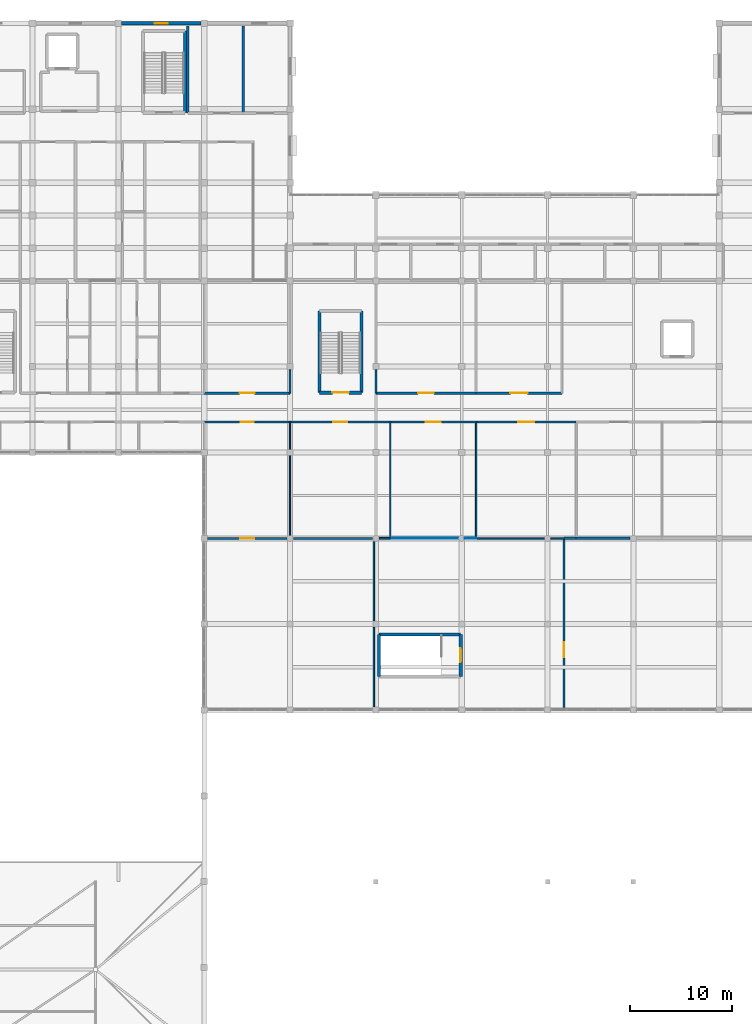
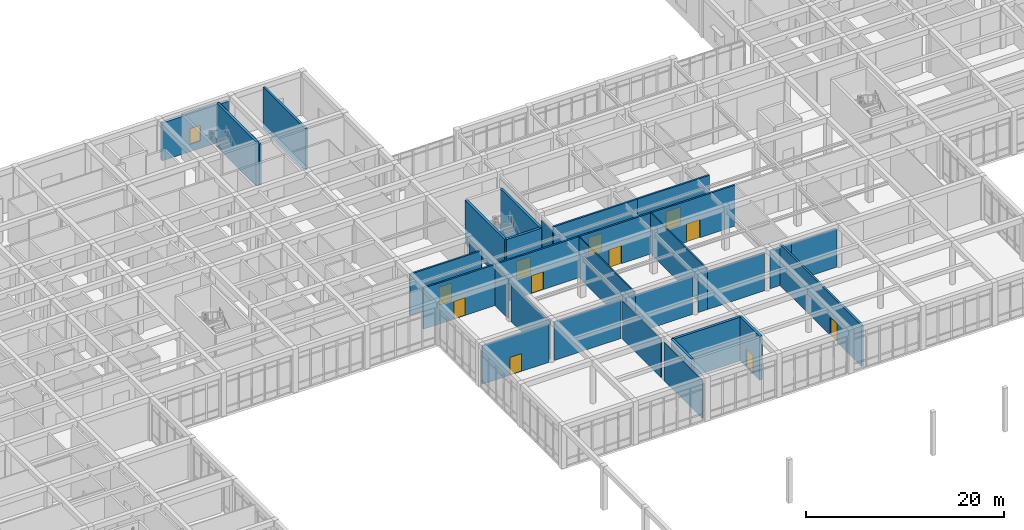
# One storey, part 60 of 89: 35 walls, 11 doors, 1 window, 12 openings.
"""IFC4 building model written with IfcOpenShell, lengths in metres."""

import ifcopenshell
import ifcopenshell.guid

model = None  # the IFC model being written
_history = None  # IfcOwnerHistory: only IFC2X3 demands one
_inside = {}  # id of a spatial element -> (the spatial element, [elements in it])
_under = {}  # id of a project, library or spatial element -> (it, [spatial elements below it])
_declared = {}  # id of a project -> (the project, [libraries it declares])
_typed = {}  # id of a type object -> (the type object, [elements of that type])
_made_of = {}  # id of a material, layer set ... -> (it, [elements and type objects made of it])


def new_model(schema):
    """Start an empty IFC model of exactly this schema.

    Asked for "IFC4X3", IfcOpenShell would pick the latest addendum, in which some entities
    have other attributes; the version numbers below select the first issue.
    IFC2X3 requires an IfcOwnerHistory on every rooted entity: one is made here for all.
    """
    global model, _history
    if schema == "IFC4X3":
        model = ifcopenshell.file(schema_version=(4, 3, 0, 0))
    else:
        model = ifcopenshell.file(schema=schema)
    _inside.clear()
    _under.clear()
    _declared.clear()
    _typed.clear()
    _made_of.clear()
    _history = None
    if model.schema == "IFC2X3":
        org = make("IfcOrganization", Name="unknown")
        user = make(
            "IfcPersonAndOrganization",
            ThePerson=make("IfcPerson", FamilyName="unknown"),
            TheOrganization=org,
        )
        app = make(
            "IfcApplication",
            ApplicationDeveloper=org,
            Version="unknown",
            ApplicationFullName="unknown",
            ApplicationIdentifier="unknown",
        )
        _history = make(
            "IfcOwnerHistory",
            OwningUser=user,
            OwningApplication=app,
            ChangeAction="ADDED",
            CreationDate=0,
        )
    return model


def make(cls, **values):
    """One entity of the class cls with the attributes given. An attribute that is None is left unset."""
    return model.create_entity(
        cls, **{name: value for name, value in values.items() if value is not None}
    )


def rooted(cls, **values):
    """An entity with a GlobalId (a new one), such as an element, a storey or a relation."""
    return make(cls, GlobalId=ifcopenshell.guid.new(), OwnerHistory=_history, **values)


def si_unit(unit_type, name, prefix=None):
    """IfcSIUnit, for example si_unit("LENGTHUNIT", "METRE", prefix="MILLI")."""
    return make("IfcSIUnit", UnitType=unit_type, Prefix=prefix, Name=name)


def assignment(units):
    """IfcUnitAssignment: the units of a project."""
    return None if units is None else make("IfcUnitAssignment", Units=units)


def point(xyz):
    """IfcCartesianPoint."""
    return None if xyz is None else make("IfcCartesianPoint", Coordinates=xyz)


def direction(xyz):
    """IfcDirection."""
    return None if xyz is None else make("IfcDirection", DirectionRatios=xyz)


def frame(location, z_axis=None, x_axis=None):
    """IfcAxis2Placement3D, a coordinate frame: its origin and axes. An axis left out is left unset."""
    return make(
        "IfcAxis2Placement3D",
        Location=point(location),
        Axis=direction(z_axis),
        RefDirection=direction(x_axis),
    )


def frame_2d(location, x_axis=None):
    """IfcAxis2Placement2D, a coordinate frame in the plane: its origin and x axis."""
    return make(
        "IfcAxis2Placement2D", Location=point(location), RefDirection=direction(x_axis)
    )


def origin():
    """The frame at (0, 0, 0) with its axes left unset."""
    return frame((0.0, 0.0, 0.0))


def place(relative_to, where):
    """IfcLocalPlacement: puts the frame where relative to a parent placement (None: the world)."""
    return make(
        "IfcLocalPlacement", PlacementRelTo=relative_to, RelativePlacement=where
    )


def context(
    kind, dimensions, precision=None, world=None, true_north=None, identifier=None
):
    """IfcGeometricRepresentationContext, for example the 3D "Model" context."""
    return make(
        "IfcGeometricRepresentationContext",
        ContextIdentifier=identifier,
        ContextType=kind,
        CoordinateSpaceDimension=dimensions,
        Precision=precision,
        WorldCoordinateSystem=world,
        TrueNorth=true_north,
    )


def subcontext(parent, identifier, kind, view, scale=None):
    """IfcGeometricRepresentationSubContext, for example "Body" below "Model"."""
    return make(
        "IfcGeometricRepresentationSubContext",
        ContextIdentifier=identifier,
        ContextType=kind,
        ParentContext=parent,
        TargetScale=scale,
        TargetView=view,
    )


def project(units=None, contexts=None):
    """IfcProject with its units and contexts."""
    return rooted(
        "IfcProject",
        Name="project",
        RepresentationContexts=contexts,
        UnitsInContext=assignment(units),
    )


def spatial(cls, under=None, at=None, **own):
    """A site, building, storey or space (cls), placed at a placement, below another one or the project."""
    s = rooted(cls, ObjectPlacement=at, **own)
    if under is not None:
        _under.setdefault(under.id(), (under, []))[1].append(s)
    return s


def profile(cls, at=None, kind="AREA", **sizes):
    """A parametric profile (cls). Its sizes go by their IFC names, for example OverallWidth=200.0."""
    return make(cls, ProfileType=kind, Position=at, **sizes)


def rectangle(**sizes):
    """IfcRectangleProfileDef."""
    return profile("IfcRectangleProfileDef", **sizes)


def extrude(swept, where, along, depth):
    """IfcExtrudedAreaSolid: the profile swept, set in the frame where, extruded along a direction by depth."""
    return make(
        "IfcExtrudedAreaSolid",
        SweptArea=swept,
        Position=where,
        ExtrudedDirection=direction(along),
        Depth=depth,
    )


def shape(context_of_items, identifier, shape_type, items):
    """IfcShapeRepresentation: the items that make up one representation, for example the "Body"."""
    return make(
        "IfcShapeRepresentation",
        ContextOfItems=context_of_items,
        RepresentationIdentifier=identifier,
        RepresentationType=shape_type,
        Items=items,
    )


def material(Name=None, Category=None):
    """IfcMaterial."""
    return make("IfcMaterial", Name=Name, Category=Category)


def layer(
    of_material, thickness, ventilated=None, Name=None, Category=None, Priority=None
):
    """IfcMaterialLayer: one layer of a wall or slab, of a material (None: an air gap)."""
    return make(
        "IfcMaterialLayer",
        Material=of_material,
        LayerThickness=thickness,
        IsVentilated=ventilated,
        Name=Name,
        Category=Category,
        Priority=Priority,
    )


def layer_set(layers, Name=None):
    """IfcMaterialLayerSet."""
    return make("IfcMaterialLayerSet", MaterialLayers=layers, LayerSetName=Name)


def made_of(thing, what):
    """Note that an element or type object is made of a material, layer set ...; save() writes the relation."""
    if what is not None:
        _made_of.setdefault(what.id(), (what, []))[1].append(thing)
    return thing


def type_object(cls, material=None, **own):
    """A type object (cls), such as IfcWallType, which elements share."""
    return made_of(rooted(cls, **own), material)


def element(
    cls,
    number,
    at=None,
    inside=None,
    cuts=None,
    type_object=None,
    material=None,
    context=None,
    identifier="Body",
    shape_type=None,
    held_by="IfcProductDefinitionShape",
    body=None,
    shapes=None,
    **own,
):
    """One element of the class cls, such as IfcWall. Its Tag is "e" and its number.

    at: its placement. inside: the storey or other place that contains it. cuts: it is an
    opening in that element (IfcRelVoidsElement). A single representation is given by context,
    identifier, shape_type and body (its items); several are given by shapes. held_by: the class
    of the entity that holds the representations. save() writes the other relations.
    """
    e = rooted(cls, Tag="e%d" % number, ObjectPlacement=at, **own)
    if body is not None:
        shapes = [shape(context, identifier, shape_type, body)]
    if shapes is not None:
        e.Representation = make(held_by, Representations=shapes)
    if inside is not None:
        _inside.setdefault(inside.id(), (inside, []))[1].append(e)
    if cuts is not None:
        rooted(
            "IfcRelVoidsElement", RelatingBuildingElement=cuts, RelatedOpeningElement=e
        )
    if type_object is not None:
        _typed.setdefault(type_object.id(), (type_object, []))[1].append(e)
    return made_of(e, material)


def fill(opening, filler):
    """IfcRelFillsElement: the door or window that sits in an opening."""
    return rooted(
        "IfcRelFillsElement",
        RelatingOpeningElement=opening,
        RelatedBuildingElement=filler,
    )


def aggregate(whole, parts):
    """IfcRelAggregates: a whole, such as a stair, and the parts it consists of."""
    return rooted("IfcRelAggregates", RelatingObject=whole, RelatedObjects=parts)


def save(model, path):
    """Write the relations noted so far, then the file.

    IfcRelAggregates (storeys below a building ...), IfcRelContainedInSpatialStructure (elements
    in a storey), IfcRelDefinesByType, IfcRelAssociatesMaterial and IfcRelDeclares: one each for
    every whole, place, type object, material and project.
    """
    for whole, parts in _under.values():
        aggregate(whole, parts)
    for where, things in _inside.values():
        rooted(
            "IfcRelContainedInSpatialStructure",
            RelatedElements=things,
            RelatingStructure=where,
        )
    for kind, things in _typed.values():
        rooted("IfcRelDefinesByType", RelatedObjects=things, RelatingType=kind)
    for what, things in _made_of.values():
        rooted("IfcRelAssociatesMaterial", RelatedObjects=things, RelatingMaterial=what)
    for by, libraries in _declared.values():
        rooted("IfcRelDeclares", RelatingContext=by, RelatedDefinitions=libraries)
    model.write(path)


model = new_model("IFC4")

# Units and contexts
model_context = context("Model", 3, precision=1e-05, world=origin(), true_north=direction((0.0, 1.0)))
body_context = subcontext(model_context, "Body", "Model", "MODEL_VIEW")
ifc_project = project(units=[si_unit("LENGTHUNIT", "METRE"), si_unit("AREAUNIT", "SQUARE_METRE"), si_unit("VOLUMEUNIT", "CUBIC_METRE"), si_unit("PLANEANGLEUNIT", "RADIAN"), si_unit("MASSUNIT", "GRAM", prefix="KILO")], contexts=[model_context])

# Site, building, storey
site_placement = place(None, origin())
site = spatial("IfcSite", under=ifc_project, at=site_placement, CompositionType="ELEMENT")
building_placement = place(site_placement, origin())
building = spatial("IfcBuilding", under=site, at=building_placement, Name="Varncliffe General Hospital", CompositionType="ELEMENT")
storey_placement = place(building_placement, frame((0.0, 0.0, 10.800048828125)))
storey = spatial("IfcBuildingStorey", under=building, at=storey_placement, Name="L02", CompositionType="ELEMENT", Elevation=10.800048828125)

# Wall, opening, window
ifc_material_1 = material(Name="Precast concrete C40/50 with insulated cream lime-cement stucco", Category="concrete")
ifc_layer_1 = layer(ifc_material_1, 0.330078125)
ifc_layer_set_1 = layer_set([ifc_layer_1], Name="Precast concrete C40/50 with insulated cream lime-cement stucco")
wall_type_1 = type_object("IfcWallType", Name="Exterior Insulated Stucco Wall EW33 (330mm)", PredefinedType="SOLIDWALL", material=ifc_layer_set_1)
wall_1_placement = place(storey_placement, frame((50.722900390625, 124.800048828125, 0.0), z_axis=(0.0, 0.0, 1.0), x_axis=(1.0, 0.0, 0.0)))
wall_1 = element("IfcWall", 1, at=wall_1_placement, inside=storey, type_object=wall_type_1, Name="L02 Exterior Stucco Wall EW33-178", PredefinedType="SOLIDWALL", context=body_context, shape_type="SweptSolid", body=[
    extrude(rectangle(XDim=7.754150390625, YDim=0.330078125, at=frame_2d((3.876953125, 0.0))), origin(), (0.0, 0.0, 1.0), 4.679931640625),
])
opening_1_placement = place(wall_1_placement, frame((3.251953125, 0.0, 0.89990234375)))
opening_1 = element("IfcOpeningElement", 2, at=opening_1_placement, cuts=wall_1, Name="Opening WN49", PredefinedType="OPENING", context=body_context, shape_type="SweptSolid", body=[
    extrude(rectangle(XDim=1.25, YDim=1.949951171875, at=frame_2d((0.625, 0.97509765625))), frame((0.0, 0.175048828125, 0.0), z_axis=(0.0, -1.0, 0.0), x_axis=(1.0, 0.0, 0.0)), (0.0, 0.0, 1.0), 0.35009765625),
])
ifc_material_2 = material(Name="Triple low-E argon insulated vision glazing", Category="glass")
window_type = type_object("IfcWindowType", Name="Triple-Glazed Hospital Window WN49 (1250x1950)", PartitioningType="SINGLE_PANEL", PredefinedType="WINDOW", material=ifc_material_2)
window_placement = place(opening_1_placement, origin())
window = element("IfcWindow", 3, at=window_placement, inside=storey, type_object=window_type, Name="L02 Hospital Window WN49-113", OverallHeight=1.949951171875, OverallWidth=1.25, PartitioningType="SINGLE_PANEL", PredefinedType="WINDOW", context=body_context, shape_type="SweptSolid", body=[
    extrude(rectangle(XDim=1.25, YDim=1.949951171875, at=frame_2d((0.625, 0.97509765625))), frame((0.0, 0.030029296875, 0.0), z_axis=(0.0, -1.0, 0.0), x_axis=(1.0, 0.0, 0.0)), (0.0, 0.0, 1.0), 0.06005859375),
])
fill(opening_1, window)

# Walls
ifc_material_3 = material(Name="Acoustic clinical gypsum stud partition assembly", Category="gypsum")
ifc_layer_2 = layer(ifc_material_3, 0.1298828125)
ifc_layer_set_2 = layer_set([ifc_layer_2], Name="Acoustic clinical gypsum stud partition assembly")
wall_type_2 = type_object("IfcWallType", Name="Interior Partitioning IW11 (130mm)", PredefinedType="PARTITIONING", material=ifc_layer_set_2)
wall_2_placement = place(storey_placement, frame((85.39990234375, 74.39990234375, 0.0), z_axis=(0.0, 0.0, 1.0), x_axis=(1.0, 0.0, 0.0)))
element("IfcWall", 4, at=wall_2_placement, inside=storey, type_object=wall_type_2, Name="L02 Interior Partition Wall IW11-933", PredefinedType="PARTITIONING", context=body_context, shape_type="SweptSolid", body=[
    extrude(rectangle(XDim=6.68505859375, YDim=0.1298828125, at=frame_2d((3.342529296875, 0.0))), origin(), (0.0, 0.0, 1.0), 4.73486328125),
])
wall_3_placement = place(storey_placement, frame((92.715087890625, 74.39990234375, 0.0), z_axis=(0.0, 0.0, 1.0), x_axis=(1.0, 0.0, 0.0)))
element("IfcWall", 5, at=wall_3_placement, inside=storey, type_object=wall_type_2, Name="L02 Interior Partition Wall IW11-934", PredefinedType="PARTITIONING", context=body_context, shape_type="SweptSolid", body=[
    extrude(rectangle(XDim=1.284912109375, YDim=0.1298828125, at=frame_2d((0.642578125, 0.0))), origin(), (0.0, 0.0, 1.0), 4.73486328125),
])
wall_4_placement = place(storey_placement, frame((67.199951171875, 74.715087890625, 0.0), z_axis=(0.0, 0.0, 1.0), x_axis=(0.0, 1.0, 0.0)))
element("IfcWall", 6, at=wall_4_placement, inside=storey, type_object=wall_type_2, Name="L02 Interior Partition Wall IW11-1198", PredefinedType="PARTITIONING", context=body_context, shape_type="SweptSolid", body=[
    extrude(rectangle(XDim=7.77001953125, YDim=0.1298828125, at=frame_2d((3.885009765625, 0.0))), origin(), (0.0, 0.0, 1.0), 4.73486328125),
])
wall_5_placement = place(storey_placement, frame((67.199951171875, 83.114990234375, 0.0), z_axis=(0.0, 0.0, 1.0), x_axis=(0.0, 1.0, 0.0)))
element("IfcWall", 7, at=wall_5_placement, inside=storey, type_object=wall_type_2, Name="L02 Interior Partition Wall IW11-1199", PredefinedType="PARTITIONING", context=body_context, shape_type="SweptSolid", body=[
    extrude(rectangle(XDim=2.68505859375, YDim=0.1298828125, at=frame_2d((1.342529296875, 0.0))), origin(), (0.0, 0.0, 1.0), 4.73486328125),
])
for number, where, z_axis, x_axis, name in (
    (8, (75.39990234375, 57.9150390625, 0.0), (0.0, 0.0, 1.0), (0.0, 1.0, 0.0), "L02 Interior Partition Wall IW11-1203"),
    (9, (75.39990234375, 66.31494140625, 0.0), (0.0, 0.0, 1.0), (0.0, 1.0, 0.0), "L02 Interior Partition Wall IW11-1204"),
):
    element("IfcWall", number, at=place(storey_placement, frame(where, z_axis=z_axis, x_axis=x_axis)), inside=storey, type_object=wall_type_2, Name=name, PredefinedType="PARTITIONING", context=body_context, shape_type="SweptSolid", body=[
        extrude(rectangle(XDim=7.77001953125, YDim=0.1298828125, at=frame_2d((3.885009765625, 0.0))), origin(), (0.0, 0.0, 1.0), 4.73486328125),
    ])
ifc_layer_3 = layer(ifc_material_3, 0.169921875)
ifc_layer_set_3 = layer_set([ifc_layer_3], Name="Acoustic clinical gypsum stud partition assembly")
wall_type_3 = type_object("IfcWallType", Name="Interior Partitioning IW20 (170mm)", PredefinedType="PARTITIONING", material=ifc_layer_set_3)
wall_6_placement = place(storey_placement, frame((75.9150390625, 74.39990234375, 0.0), z_axis=(0.0, 0.0, 1.0), x_axis=(1.0, 0.0, 0.0)))
element("IfcWall", 10, at=wall_6_placement, inside=storey, type_object=wall_type_3, Name="L02 Interior Partition Wall IW20-930", PredefinedType="PARTITIONING", context=body_context, shape_type="SweptSolid", body=[
    extrude(rectangle(XDim=1.0849609375, YDim=0.169921875, at=frame_2d((0.54248046875, 0.0))), origin(), (0.0, 0.0, 1.0), 4.73486328125),
])
wall_7_placement = place(storey_placement, frame((67.199951171875, 88.60009765625, 0.0), z_axis=(0.0, 0.0, 1.0), x_axis=(0.0, 1.0, 0.0)))
element("IfcWall", 11, at=wall_7_placement, inside=storey, type_object=wall_type_3, Name="L02 Interior Partition Wall IW20-1201", PredefinedType="PARTITIONING", context=body_context, shape_type="SweptSolid", body=[
    extrude(rectangle(XDim=2.284912109375, YDim=0.169921875, at=frame_2d((1.142578125, 0.0))), origin(), (0.0, 0.0, 1.0), 4.73486328125),
])
wall_8_placement = place(storey_placement, frame((75.60009765625, 88.60009765625, 0.0), z_axis=(0.0, 0.0, 1.0), x_axis=(0.0, 1.0, 0.0)))
element("IfcWall", 12, at=wall_8_placement, inside=storey, type_object=wall_type_3, Name="L02 Interior Partition Wall IW20-1206", PredefinedType="PARTITIONING", context=body_context, shape_type="SweptSolid", body=[
    extrude(rectangle(XDim=2.284912109375, YDim=0.169921875, at=frame_2d((1.142578125, 0.0))), origin(), (0.0, 0.0, 1.0), 4.48583984375),
])
ifc_layer_4 = layer(ifc_material_3, 0.14990234375)
ifc_layer_set_4 = layer_set([ifc_layer_4], Name="Acoustic clinical gypsum stud partition assembly")
wall_type_4 = type_object("IfcWallType", Name="Interior Partitioning IW35 (150mm)", PredefinedType="PARTITIONING", material=ifc_layer_set_4)
wall_9_placement = place(storey_placement, frame((85.39990234375, 74.39990234375, 0.0), z_axis=(0.0, 0.0, 1.0), x_axis=(0.0, 1.0, 0.0)))
element("IfcWall", 13, at=wall_9_placement, inside=storey, type_object=wall_type_4, Name="L02 Interior Partition Wall IW35-1209", PredefinedType="PARTITIONING", context=body_context, shape_type="SweptSolid", body=[
    extrude(rectangle(XDim=11.400146484375, YDim=0.14990234375, at=frame_2d((5.7001953125, 0.0))), origin(), (0.0, 0.0, 1.0), 5.070068359375),
])
ifc_layer_5 = layer(ifc_material_3, 0.090087890625)
ifc_layer_set_5 = layer_set([ifc_layer_5], Name="Acoustic clinical gypsum stud partition assembly")
wall_type_5 = type_object("IfcWallType", Name="Interior Partitioning IW42 (90mm)", PredefinedType="PARTITIONING", material=ifc_layer_set_5)
wall_10_placement = place(storey_placement, frame((77.0, 74.39990234375, 0.0), z_axis=(0.0, 0.0, 1.0), x_axis=(1.0, 0.0, 0.0)))
element("IfcWall", 14, at=wall_10_placement, inside=storey, type_object=wall_type_5, Name="L02 Interior Partition Wall IW42-931", PredefinedType="PARTITIONING", context=body_context, shape_type="SweptSolid", body=[
    extrude(rectangle(XDim=6.68505859375, YDim=0.090087890625, at=frame_2d((3.342529296875, 0.0))), origin(), (0.0, 0.0, 1.0), 4.73486328125),
])
wall_11_placement = place(storey_placement, frame((84.31494140625, 74.39990234375, 0.0), z_axis=(0.0, 0.0, 1.0), x_axis=(1.0, 0.0, 0.0)))
element("IfcWall", 15, at=wall_11_placement, inside=storey, type_object=wall_type_5, Name="L02 Interior Partition Wall IW42-932", PredefinedType="PARTITIONING", context=body_context, shape_type="SweptSolid", body=[
    extrude(rectangle(XDim=1.0849609375, YDim=0.090087890625, at=frame_2d((0.54248046875, 0.0))), origin(), (0.0, 0.0, 1.0), 4.73486328125),
])
ifc_layer_6 = layer(ifc_material_3, 0.110107421875)
ifc_layer_set_6 = layer_set([ifc_layer_6], Name="Acoustic clinical gypsum stud partition assembly")
wall_type_6 = type_object("IfcWallType", Name="Interior Partitioning IW65 (110mm)", PredefinedType="PARTITIONING", material=ifc_layer_set_6)
wall_12_placement = place(storey_placement, frame((77.0, 74.39990234375, 0.0), z_axis=(0.0, 0.0, 1.0), x_axis=(0.0, 1.0, 0.0)))
element("IfcWall", 16, at=wall_12_placement, inside=storey, type_object=wall_type_6, Name="L02 Interior Partition Wall IW65-1207", PredefinedType="PARTITIONING", context=body_context, shape_type="SweptSolid", body=[
    extrude(rectangle(XDim=11.400146484375, YDim=0.110107421875, at=frame_2d((5.7001953125, 0.0))), origin(), (0.0, 0.0, 1.0), 5.070068359375),
])
ifc_material_4 = material(Name="Fire-rated gypsum and mineral-wool partition assembly", Category="gypsum")
ifc_layer_7 = layer(ifc_material_4, 0.25)
ifc_layer_set_7 = layer_set([ifc_layer_7], Name="Fire-rated gypsum and mineral-wool partition assembly")
wall_type_7 = type_object("IfcWallType", Name="Interior Partitioning PW38 (250mm)", PredefinedType="PARTITIONING", material=ifc_layer_set_7)
wall_13_placement = place(storey_placement, frame((94.0, 74.39990234375, 0.0), z_axis=(0.0, 0.0, 1.0), x_axis=(1.0, 0.0, 0.0)))
element("IfcWall", 17, at=wall_13_placement, inside=storey, type_object=wall_type_7, Name="L02 Interior Partition Wall PW38-935", PredefinedType="PARTITIONING", context=body_context, shape_type="SweptSolid", body=[
    extrude(rectangle(XDim=1.199951171875, YDim=0.25, at=frame_2d((0.60009765625, 0.0))), origin(), (0.0, 0.0, 1.0), 4.73486328125),
])
wall_14_placement = place(storey_placement, frame((62.60009765625, 116.0, 0.0), z_axis=(0.0, 0.0, 1.0), x_axis=(0.0, 1.0, 0.0)))
element("IfcWall", 18, at=wall_14_placement, inside=storey, type_object=wall_type_7, Name="L02 Interior Partition Wall PW38-1195", PredefinedType="PARTITIONING", context=body_context, shape_type="SweptSolid", body=[
    extrude(rectangle(XDim=8.5400390625, YDim=0.25, at=frame_2d((4.27001953125, 0.0))), origin(), (0.0, 0.0, 1.0), 5.070068359375),
])
ifc_layer_8 = layer(ifc_material_4, 0.22998046875)
ifc_layer_set_8 = layer_set([ifc_layer_8], Name="Fire-rated gypsum and mineral-wool partition assembly")
wall_type_8 = type_object("IfcWallType", Name="Interior Partitioning PW48 (230mm)", PredefinedType="PARTITIONING", material=ifc_layer_set_8)
wall_15_placement = place(storey_placement, frame((95.199951171875, 74.39990234375, 0.0), z_axis=(0.0, 0.0, 1.0), x_axis=(1.0, 0.0, 0.0)))
element("IfcWall", 19, at=wall_15_placement, inside=storey, type_object=wall_type_8, Name="L02 Interior Partition Wall PW48-936", PredefinedType="PARTITIONING", context=body_context, shape_type="SweptSolid", body=[
    extrude(rectangle(XDim=5.28515625, YDim=0.22998046875, at=frame_2d((2.642578125, 0.0))), origin(), (0.0, 0.0, 1.0), 4.73486328125),
])
wall_16_placement = place(storey_placement, frame((57.199951171875, 116.0, 0.0), z_axis=(0.0, 0.0, 1.0), x_axis=(0.0, 1.0, 0.0)))
element("IfcWall", 20, at=wall_16_placement, inside=storey, type_object=wall_type_8, Name="L02 Interior Partition Wall PW48-1190", PredefinedType="PARTITIONING", context=body_context, shape_type="SweptSolid", body=[
    extrude(rectangle(XDim=8.5400390625, YDim=0.22998046875, at=frame_2d((4.27001953125, 0.0))), origin(), (0.0, 0.0, 1.0), 5.070068359375),
])

# Wall, opening, door
wall_17_placement = place(storey_placement, frame((94.0, 57.860107421875, 0.0), z_axis=(0.0, 0.0, 1.0), x_axis=(0.0, 1.0, 0.0)))
wall_17 = element("IfcWall", 21, at=wall_17_placement, inside=storey, type_object=wall_type_8, Name="L02 Interior Partition Wall PW48-1214", PredefinedType="PARTITIONING", context=body_context, shape_type="SweptSolid", body=[
    extrude(rectangle(XDim=16.539794921875, YDim=0.22998046875, at=frame_2d((8.27001953125, 0.0))), origin(), (0.0, 0.0, 1.0), 5.070068359375),
])
opening_2_placement = place(wall_17_placement, frame((4.915283203125, 0.0, 0.0)))
opening_2 = element("IfcOpeningElement", 22, at=opening_2_placement, cuts=wall_17, Name="Opening DC66", PredefinedType="OPENING", context=body_context, shape_type="SweptSolid", body=[
    extrude(rectangle(XDim=1.449951171875, YDim=2.25, at=frame_2d((0.72509765625, 1.125))), frame((0.0, 0.125, 0.0), z_axis=(0.0, -1.0, 0.0), x_axis=(1.0, 0.0, 0.0)), (0.0, 0.0, 1.0), 0.25),
])
ifc_material_5 = material(Name="Fire-rated hospital steel-frame vision-panel door", Category="steel")
door_type_1 = type_object("IfcDoorType", Name="Interior Hospital Door DC66 (1450x2250)", OperationType="NOTDEFINED", PredefinedType="DOOR", material=ifc_material_5)
door_1_placement = place(opening_2_placement, frame((1.449951171875, 0.0, 0.0), z_axis=(0.0, 0.0, 1.0), x_axis=(-1.0, 0.0, 0.0)))
door_1 = element("IfcDoor", 23, at=door_1_placement, inside=storey, type_object=door_type_1, Name="L02 Concourse Mechanical AHU Plenum Suite Door", OperationType="SINGLE_SWING_RIGHT", OverallHeight=2.25, OverallWidth=1.449951171875, PredefinedType="DOOR", context=body_context, shape_type="SweptSolid", body=[
    extrude(rectangle(XDim=1.449951171875, YDim=2.25, at=frame_2d((0.72509765625, 1.125))), frame((0.0, 0.02490234375, 0.0), z_axis=(0.0, -1.0, 0.0), x_axis=(1.0, 0.0, 0.0)), (0.0, 0.0, 1.0), 0.050048828125),
])
fill(opening_2, door_1)

ifc_layer_9 = layer(ifc_material_4, 0.199951171875)
ifc_layer_set_9 = layer_set([ifc_layer_9], Name="Fire-rated gypsum and mineral-wool partition assembly")
wall_type_9 = type_object("IfcWallType", Name="Interior Partitioning PW63 (200mm)", PredefinedType="PARTITIONING", material=ifc_layer_set_9)
wall_18_placement = place(storey_placement, frame((59.114990234375, 74.39990234375, 0.0), z_axis=(0.0, 0.0, 1.0), x_axis=(1.0, 0.0, 0.0)))
wall_18 = element("IfcWall", 24, at=wall_18_placement, inside=storey, type_object=wall_type_9, Name="L02 Interior Partition Wall PW63-928", PredefinedType="PARTITIONING", context=body_context, shape_type="SweptSolid", body=[
    extrude(rectangle(XDim=7.77001953125, YDim=0.199951171875, at=frame_2d((3.885009765625, 0.0))), origin(), (0.0, 0.0, 1.0), 4.73486328125),
])
opening_3_placement = place(wall_18_placement, frame((3.2099609375, 0.0, 0.0)))
opening_3 = element("IfcOpeningElement", 25, at=opening_3_placement, cuts=wall_18, Name="Opening DC85", PredefinedType="OPENING", context=body_context, shape_type="SweptSolid", body=[
    extrude(rectangle(XDim=1.35009765625, YDim=2.199951171875, at=frame_2d((0.675048828125, 1.10009765625))), frame((0.0, 0.10986328125, 0.0), z_axis=(0.0, -1.0, 0.0), x_axis=(1.0, 0.0, 0.0)), (0.0, 0.0, 1.0), 0.219970703125),
])
door_type_2 = type_object("IfcDoorType", Name="Interior Hospital Door DC85 (1350x2200)", OperationType="NOTDEFINED", PredefinedType="DOOR", material=ifc_material_5)
door_2_placement = place(opening_3_placement, frame((1.35009765625, 0.0, 0.0), z_axis=(0.0, 0.0, 1.0), x_axis=(-1.0, 0.0, 0.0)))
door_2 = element("IfcDoor", 26, at=door_2_placement, inside=storey, type_object=door_type_2, Name="L02 Winter-Garden Surgical Family Waiting Concourse Door", OperationType="SINGLE_SWING_LEFT", OverallHeight=2.199951171875, OverallWidth=1.35009765625, PredefinedType="DOOR", context=body_context, shape_type="SweptSolid", body=[
    extrude(rectangle(XDim=1.35009765625, YDim=2.199951171875, at=frame_2d((0.675048828125, 1.10009765625))), frame((0.0, 0.02490234375, 0.0), z_axis=(0.0, -1.0, 0.0), x_axis=(1.0, 0.0, 0.0)), (0.0, 0.0, 1.0), 0.050048828125),
])
fill(opening_3, door_2)

# Wall
wall_19_placement = place(storey_placement, frame((67.514892578125, 74.39990234375, 0.0), z_axis=(0.0, 0.0, 1.0), x_axis=(1.0, 0.0, 0.0)))
element("IfcWall", 27, at=wall_19_placement, inside=storey, type_object=wall_type_9, Name="L02 Interior Partition Wall PW63-929", PredefinedType="PARTITIONING", context=body_context, shape_type="SweptSolid", body=[
    extrude(rectangle(XDim=7.77001953125, YDim=0.199951171875, at=frame_2d((3.885009765625, 0.0))), origin(), (0.0, 0.0, 1.0), 4.73486328125),
])

# Wall, opening, door
wall_20_placement = place(storey_placement, frame((58.800048828125, 85.800048828125, 0.0), z_axis=(0.0, 0.0, 1.0), x_axis=(1.0, 0.0, 0.0)))
wall_20 = element("IfcWall", 28, at=wall_20_placement, inside=storey, type_object=wall_type_9, Name="L02 Interior Partition Wall PW63-956", PredefinedType="PARTITIONING", context=body_context, shape_type="SweptSolid", body=[
    extrude(rectangle(XDim=8.39990234375, YDim=0.199951171875, at=frame_2d((4.199951171875, 0.0))), origin(), (0.0, 0.0, 1.0), 5.070068359375),
])
opening_4_placement = place(wall_20_placement, frame((3.550048828125, 0.0, 0.0)))
opening_4 = element("IfcOpeningElement", 29, at=opening_4_placement, cuts=wall_20, Name="Opening DC88", PredefinedType="OPENING", context=body_context, shape_type="SweptSolid", body=[
    extrude(rectangle(XDim=1.300048828125, YDim=2.199951171875, at=frame_2d((0.64990234375, 1.10009765625))), frame((0.0, 0.10986328125, 0.0), z_axis=(0.0, -1.0, 0.0), x_axis=(1.0, 0.0, 0.0)), (0.0, 0.0, 1.0), 0.219970703125),
])
door_type_3 = type_object("IfcDoorType", Name="Interior Hospital Door DC88 (1300x2200)", OperationType="NOTDEFINED", PredefinedType="DOOR", material=ifc_material_5)
door_3_placement = place(opening_4_placement, frame((1.300048828125, 0.0, 0.0), z_axis=(0.0, 0.0, 1.0), x_axis=(-1.0, 0.0, 0.0)))
door_3 = element("IfcDoor", 30, at=door_3_placement, inside=storey, type_object=door_type_3, Name="L02 Surgical Operating Theatre 64 Door", OperationType="SINGLE_SWING_LEFT", OverallHeight=2.199951171875, OverallWidth=1.300048828125, PredefinedType="DOOR", context=body_context, shape_type="SweptSolid", body=[
    extrude(rectangle(XDim=1.300048828125, YDim=2.199951171875, at=frame_2d((0.64990234375, 1.10009765625))), frame((0.0, 0.02490234375, 0.0), z_axis=(0.0, -1.0, 0.0), x_axis=(1.0, 0.0, 0.0)), (0.0, 0.0, 1.0), 0.050048828125),
])
fill(opening_4, door_3)

wall_21_placement = place(storey_placement, frame((67.199951171875, 85.800048828125, 0.0), z_axis=(0.0, 0.0, 1.0), x_axis=(1.0, 0.0, 0.0)))
wall_21 = element("IfcWall", 31, at=wall_21_placement, inside=storey, type_object=wall_type_9, Name="L02 Interior Partition Wall PW63-957", PredefinedType="PARTITIONING", context=body_context, shape_type="SweptSolid", body=[
    extrude(rectangle(XDim=9.800048828125, YDim=0.199951171875, at=frame_2d((4.89990234375, 0.0))), origin(), (0.0, 0.0, 1.0), 5.070068359375),
])
opening_5_placement = place(wall_21_placement, frame((4.22509765625, 0.0, 0.0)))
opening_5 = element("IfcOpeningElement", 32, at=opening_5_placement, cuts=wall_21, Name="Opening DC85", PredefinedType="OPENING", context=body_context, shape_type="SweptSolid", body=[
    extrude(rectangle(XDim=1.35009765625, YDim=2.199951171875, at=frame_2d((0.675048828125, 1.10009765625))), frame((0.0, 0.10986328125, 0.0), z_axis=(0.0, -1.0, 0.0), x_axis=(1.0, 0.0, 0.0)), (0.0, 0.0, 1.0), 0.219970703125),
])
door_4_placement = place(opening_5_placement, frame((1.35009765625, 0.0, 0.0), z_axis=(0.0, 0.0, 1.0), x_axis=(-1.0, 0.0, 0.0)))
door_4 = element("IfcDoor", 33, at=door_4_placement, inside=storey, type_object=door_type_2, Name="L02 Post-Anaesthesia Care Recovery PACU 65 Door", OperationType="SINGLE_SWING_RIGHT", OverallHeight=2.199951171875, OverallWidth=1.35009765625, PredefinedType="DOOR", context=body_context, shape_type="SweptSolid", body=[
    extrude(rectangle(XDim=1.35009765625, YDim=2.199951171875, at=frame_2d((0.675048828125, 1.10009765625))), frame((0.0, 0.02490234375, 0.0), z_axis=(0.0, -1.0, 0.0), x_axis=(1.0, 0.0, 0.0)), (0.0, 0.0, 1.0), 0.050048828125),
])
fill(opening_5, door_4)

wall_22_placement = place(storey_placement, frame((77.0, 85.800048828125, 0.0), z_axis=(0.0, 0.0, 1.0), x_axis=(1.0, 0.0, 0.0)))
wall_22 = element("IfcWall", 34, at=wall_22_placement, inside=storey, type_object=wall_type_9, Name="L02 Interior Partition Wall PW63-958", PredefinedType="PARTITIONING", context=body_context, shape_type="SweptSolid", body=[
    extrude(rectangle(XDim=8.39990234375, YDim=0.199951171875, at=frame_2d((4.199951171875, 0.0))), origin(), (0.0, 0.0, 1.0), 5.070068359375),
])
opening_6_placement = place(wall_22_placement, frame((3.47509765625, 0.0, 0.0)))
opening_6 = element("IfcOpeningElement", 35, at=opening_6_placement, cuts=wall_22, Name="Opening DC66", PredefinedType="OPENING", context=body_context, shape_type="SweptSolid", body=[
    extrude(rectangle(XDim=1.449951171875, YDim=2.25, at=frame_2d((0.72509765625, 1.125))), frame((0.0, 0.10986328125, 0.0), z_axis=(0.0, -1.0, 0.0), x_axis=(1.0, 0.0, 0.0)), (0.0, 0.0, 1.0), 0.219970703125),
])
door_5_placement = place(opening_6_placement, frame((1.449951171875, 0.0, 0.0), z_axis=(0.0, 0.0, 1.0), x_axis=(-1.0, 0.0, 0.0)))
door_5 = element("IfcDoor", 36, at=door_5_placement, inside=storey, type_object=door_type_1, Name="L02 Surgical Operating Theatre 66 Door", OperationType="SINGLE_SWING_LEFT", OverallHeight=2.25, OverallWidth=1.449951171875, PredefinedType="DOOR", context=body_context, shape_type="SweptSolid", body=[
    extrude(rectangle(XDim=1.449951171875, YDim=2.25, at=frame_2d((0.72509765625, 1.125))), frame((0.0, 0.02490234375, 0.0), z_axis=(0.0, -1.0, 0.0), x_axis=(1.0, 0.0, 0.0)), (0.0, 0.0, 1.0), 0.050048828125),
])
fill(opening_6, door_5)

wall_23_placement = place(storey_placement, frame((85.39990234375, 85.800048828125, 0.0), z_axis=(0.0, 0.0, 1.0), x_axis=(1.0, 0.0, 0.0)))
wall_23 = element("IfcWall", 37, at=wall_23_placement, inside=storey, type_object=wall_type_9, Name="L02 Interior Partition Wall PW63-959", PredefinedType="PARTITIONING", context=body_context, shape_type="SweptSolid", body=[
    extrude(rectangle(XDim=9.800048828125, YDim=0.199951171875, at=frame_2d((4.89990234375, 0.0))), origin(), (0.0, 0.0, 1.0), 5.070068359375),
])
opening_7_placement = place(wall_23_placement, frame((4.125, 0.0, 0.0)))
opening_7 = element("IfcOpeningElement", 38, at=opening_7_placement, cuts=wall_23, Name="Opening DC67", PredefinedType="OPENING", context=body_context, shape_type="SweptSolid", body=[
    extrude(rectangle(XDim=1.550048828125, YDim=2.25, at=frame_2d((0.77490234375, 1.125))), frame((0.0, 0.10986328125, 0.0), z_axis=(0.0, -1.0, 0.0), x_axis=(1.0, 0.0, 0.0)), (0.0, 0.0, 1.0), 0.219970703125),
])
door_type_4 = type_object("IfcDoorType", Name="Interior Hospital Door DC67 (1550x2250)", OperationType="NOTDEFINED", PredefinedType="DOOR", material=ifc_material_5)
door_6_placement = place(opening_7_placement, frame((1.550048828125, 0.0, 0.0), z_axis=(0.0, 0.0, 1.0), x_axis=(-1.0, 0.0, 0.0)))
door_6 = element("IfcDoor", 39, at=door_6_placement, inside=storey, type_object=door_type_4, Name="L02 Post-Anaesthesia Care Recovery PACU 67 Door", OperationType="SINGLE_SWING_RIGHT", OverallHeight=2.25, OverallWidth=1.550048828125, PredefinedType="DOOR", context=body_context, shape_type="SweptSolid", body=[
    extrude(rectangle(XDim=1.550048828125, YDim=2.25, at=frame_2d((0.77490234375, 1.125))), frame((0.0, 0.02490234375, 0.0), z_axis=(0.0, -1.0, 0.0), x_axis=(1.0, 0.0, 0.0)), (0.0, 0.0, 1.0), 0.050048828125),
])
fill(opening_7, door_6)

wall_24_placement = place(storey_placement, frame((58.800048828125, 88.60009765625, 0.0), z_axis=(0.0, 0.0, 1.0), x_axis=(1.0, 0.0, 0.0)))
wall_24 = element("IfcWall", 40, at=wall_24_placement, inside=storey, type_object=wall_type_9, Name="L02 Interior Partition Wall PW63-976", PredefinedType="PARTITIONING", context=body_context, shape_type="SweptSolid", body=[
    extrude(rectangle(XDim=8.39990234375, YDim=0.199951171875, at=frame_2d((4.199951171875, 0.0))), origin(), (0.0, 0.0, 1.0), 5.070068359375),
])
opening_8_placement = place(wall_24_placement, frame((3.47509765625, 0.0, 0.0)))
opening_8 = element("IfcOpeningElement", 41, at=opening_8_placement, cuts=wall_24, Name="Opening DC66", PredefinedType="OPENING", context=body_context, shape_type="SweptSolid", body=[
    extrude(rectangle(XDim=1.449951171875, YDim=2.25, at=frame_2d((0.72509765625, 1.125))), frame((0.0, 0.10986328125, 0.0), z_axis=(0.0, -1.0, 0.0), x_axis=(1.0, 0.0, 0.0)), (0.0, 0.0, 1.0), 0.219970703125),
])
door_7_placement = place(opening_8_placement, origin())
door_7 = element("IfcDoor", 42, at=door_7_placement, inside=storey, type_object=door_type_1, Name="L02 Surgical Operating Theatre 75 Door", OperationType="SINGLE_SWING_LEFT", OverallHeight=2.25, OverallWidth=1.449951171875, PredefinedType="DOOR", context=body_context, shape_type="SweptSolid", body=[
    extrude(rectangle(XDim=1.449951171875, YDim=2.25, at=frame_2d((0.72509765625, 1.125))), frame((0.0, 0.02490234375, 0.0), z_axis=(0.0, -1.0, 0.0), x_axis=(1.0, 0.0, 0.0)), (0.0, 0.0, 1.0), 0.050048828125),
])
fill(opening_8, door_7)

wall_25_placement = place(storey_placement, frame((75.60009765625, 88.60009765625, 0.0), z_axis=(0.0, 0.0, 1.0), x_axis=(1.0, 0.0, 0.0)))
wall_25 = element("IfcWall", 43, at=wall_25_placement, inside=storey, type_object=wall_type_9, Name="L02 Interior Partition Wall PW63-977", PredefinedType="PARTITIONING", context=body_context, shape_type="SweptSolid", body=[
    extrude(rectangle(XDim=9.7998046875, YDim=0.199951171875, at=frame_2d((4.89990234375, 0.0))), origin(), (0.0, 0.0, 1.0), 5.070068359375),
])
opening_9_placement = place(wall_25_placement, frame((4.125, 0.0, 0.0)))
opening_9 = element("IfcOpeningElement", 44, at=opening_9_placement, cuts=wall_25, Name="Opening DC67", PredefinedType="OPENING", context=body_context, shape_type="SweptSolid", body=[
    extrude(rectangle(XDim=1.550048828125, YDim=2.25, at=frame_2d((0.77490234375, 1.125))), frame((0.0, 0.10986328125, 0.0), z_axis=(0.0, -1.0, 0.0), x_axis=(1.0, 0.0, 0.0)), (0.0, 0.0, 1.0), 0.219970703125),
])
door_8_placement = place(opening_9_placement, origin())
door_8 = element("IfcDoor", 45, at=door_8_placement, inside=storey, type_object=door_type_4, Name="L02 Post-Anaesthesia Care Recovery PACU 76 Door", OperationType="SINGLE_SWING_RIGHT", OverallHeight=2.25, OverallWidth=1.550048828125, PredefinedType="DOOR", context=body_context, shape_type="SweptSolid", body=[
    extrude(rectangle(XDim=1.550048828125, YDim=2.25, at=frame_2d((0.77490234375, 1.125))), frame((0.0, 0.02490234375, 0.0), z_axis=(0.0, -1.0, 0.0), x_axis=(1.0, 0.0, 0.0)), (0.0, 0.0, 1.0), 0.050048828125),
])
fill(opening_9, door_8)

wall_26_placement = place(storey_placement, frame((85.39990234375, 88.60009765625, 0.0), z_axis=(0.0, 0.0, 1.0), x_axis=(1.0, 0.0, 0.0)))
wall_26 = element("IfcWall", 46, at=wall_26_placement, inside=storey, type_object=wall_type_9, Name="L02 Interior Partition Wall PW63-978", PredefinedType="PARTITIONING", context=body_context, shape_type="SweptSolid", body=[
    extrude(rectangle(XDim=8.400146484375, YDim=0.199951171875, at=frame_2d((4.2001953125, 0.0))), origin(), (0.0, 0.0, 1.0), 5.070068359375),
])
opening_10_placement = place(wall_26_placement, frame((3.35009765625, 0.0, 0.0)))
opening_10 = element("IfcOpeningElement", 47, at=opening_10_placement, cuts=wall_26, Name="Opening DC50", PredefinedType="OPENING", context=body_context, shape_type="SweptSolid", body=[
    extrude(rectangle(XDim=1.699951171875, YDim=2.300048828125, at=frame_2d((0.85009765625, 1.14990234375))), frame((0.0, 0.10986328125, 0.0), z_axis=(0.0, -1.0, 0.0), x_axis=(1.0, 0.0, 0.0)), (0.0, 0.0, 1.0), 0.219970703125),
])
door_type_5 = type_object("IfcDoorType", Name="Interior Hospital Door DC50 (1700x2300)", OperationType="NOTDEFINED", PredefinedType="DOOR", material=ifc_material_5)
door_9_placement = place(opening_10_placement, origin())
door_9 = element("IfcDoor", 48, at=door_9_placement, inside=storey, type_object=door_type_5, Name="L02 Surgical Operating Theatre 77 Door", OperationType="SINGLE_SWING_LEFT", OverallHeight=2.300048828125, OverallWidth=1.699951171875, PredefinedType="DOOR", context=body_context, shape_type="SweptSolid", body=[
    extrude(rectangle(XDim=1.699951171875, YDim=2.300048828125, at=frame_2d((0.85009765625, 1.14990234375))), frame((0.0, 0.02490234375, 0.0), z_axis=(0.0, -1.0, 0.0), x_axis=(1.0, 0.0, 0.0)), (0.0, 0.0, 1.0), 0.050048828125),
])
fill(opening_10, door_9)

# Walls
ifc_material_6 = material(Name="Concrete C40/50 (CSA A23.1 40 MPa)", Category="concrete")
ifc_layer_10 = layer(ifc_material_6, 0.300048828125)
ifc_layer_set_10 = layer_set([ifc_layer_10], Name="Concrete C40/50 (CSA A23.1 40 MPa)")
wall_type_10 = type_object("IfcWallType", Name="Reinforced Concrete Core Shear Wall CW12 (300mm)", PredefinedType="SHEAR", material=ifc_layer_set_10)
for number, where, z_axis, x_axis, name in (
    (49, (56.89990234375, 116.050048828125, 0.0), (0.0, 0.0, 1.0), (0.0, 1.0, 0.0), "L02 ST02 Core Shear Wall L"),
    (50, (74.199951171875, 88.64990234375, 0.0), (0.0, 0.0, 1.0), (0.0, 1.0, 0.0), "L02 ST12 Core Shear Wall L"),
    (51, (70.10009765625, 96.64990234375, 0.0), (0.0, 0.0, 1.0), (0.0, -1.0, 0.0), "L02 ST12 Core Shear Wall R"),
):
    element("IfcWall", number, at=place(storey_placement, frame(where, z_axis=z_axis, x_axis=x_axis)), inside=storey, type_object=wall_type_10, Name=name, PredefinedType="SHEAR", context=body_context, shape_type="SweptSolid", body=[
        extrude(rectangle(XDim=8.0, YDim=0.300048828125, at=frame_2d((4.0, 0.0))), origin(), (0.0, 0.0, 1.0), 5.39990234375),
    ])

# Wall, opening, door
wall_27_placement = place(storey_placement, frame((70.10009765625, 88.64990234375, 0.0), z_axis=(0.0, 0.0, 1.0), x_axis=(1.0, 0.0, 0.0)))
wall_27 = element("IfcWall", 52, at=wall_27_placement, inside=storey, type_object=wall_type_10, Name="L02 ST12 Core Shear Wall N", PredefinedType="SHEAR", context=body_context, shape_type="SweptSolid", body=[
    extrude(rectangle(XDim=4.099853515625, YDim=0.300048828125, at=frame_2d((2.0498046875, 0.0))), origin(), (0.0, 0.0, 1.0), 5.39990234375),
])
opening_11_placement = place(wall_27_placement, frame((1.25, 0.0, 0.0)))
opening_11 = element("IfcOpeningElement", 53, at=opening_11_placement, cuts=wall_27, Name="Opening DF27", PredefinedType="OPENING", context=body_context, shape_type="SweptSolid", body=[
    extrude(rectangle(XDim=1.60009765625, YDim=2.25, at=frame_2d((0.800048828125, 1.125))), frame((0.0, 0.16015625, 0.0), z_axis=(0.0, -1.0, 0.0), x_axis=(1.0, 0.0, 0.0)), (0.0, 0.0, 1.0), 0.320068359375),
])
door_type_6 = type_object("IfcDoorType", Name="Interior Hospital Door DF27 (1600x2250)", OperationType="NOTDEFINED", PredefinedType="DOOR", material=ifc_material_5)
door_10_placement = place(opening_11_placement, frame((1.60009765625, 0.0, 0.0), z_axis=(0.0, 0.0, 1.0), x_axis=(-1.0, 0.0, 0.0)))
door_10 = element("IfcDoor", 54, at=door_10_placement, inside=storey, type_object=door_type_6, Name="L02 ST12 Protected Exit Stair Door", OperationType="SINGLE_SWING_LEFT", OverallHeight=2.25, OverallWidth=1.60009765625, PredefinedType="DOOR", context=body_context, shape_type="SweptSolid", body=[
    extrude(rectangle(XDim=1.60009765625, YDim=2.25, at=frame_2d((0.800048828125, 1.125))), frame((0.0, 0.02490234375, 0.0), z_axis=(0.0, -1.0, 0.0), x_axis=(1.0, 0.0, 0.0)), (0.0, 0.0, 1.0), 0.050048828125),
])
fill(opening_11, door_10)

# Walls
wall_28_placement = place(storey_placement, frame((83.89990234375, 65.0, 0.0), z_axis=(0.0, 0.0, 1.0), x_axis=(-1.0, 0.0, 0.0)))
element("IfcWall", 55, at=wall_28_placement, inside=storey, type_object=wall_type_10, Name="L02 ST16 Core Shear Wall L", PredefinedType="SHEAR", context=body_context, shape_type="SweptSolid", body=[
    extrude(rectangle(XDim=8.0, YDim=0.300048828125, at=frame_2d((4.0, 0.0))), origin(), (0.0, 0.0, 1.0), 5.39990234375),
])
wall_29_placement = place(storey_placement, frame((75.89990234375, 65.0, 0.0), z_axis=(0.0, 0.0, 1.0), x_axis=(0.0, -1.0, 0.0)))
element("IfcWall", 56, at=wall_29_placement, inside=storey, type_object=wall_type_10, Name="L02 ST16 Core Shear Wall F", PredefinedType="SHEAR", context=body_context, shape_type="SweptSolid", body=[
    extrude(rectangle(XDim=4.10009765625, YDim=0.300048828125, at=frame_2d((2.050048828125, 0.0))), origin(), (0.0, 0.0, 1.0), 5.39990234375),
])

# Wall, opening, door
wall_30_placement = place(storey_placement, frame((83.89990234375, 60.89990234375, 0.0), z_axis=(0.0, 0.0, 1.0), x_axis=(0.0, 1.0, 0.0)))
wall_30 = element("IfcWall", 57, at=wall_30_placement, inside=storey, type_object=wall_type_10, Name="L02 ST16 Core Shear Wall N", PredefinedType="SHEAR", context=body_context, shape_type="SweptSolid", body=[
    extrude(rectangle(XDim=4.10009765625, YDim=0.300048828125, at=frame_2d((2.050048828125, 0.0))), origin(), (0.0, 0.0, 1.0), 5.39990234375),
])
opening_12_placement = place(wall_30_placement, frame((1.35009765625, 0.0, 0.0)))
opening_12 = element("IfcOpeningElement", 58, at=opening_12_placement, cuts=wall_30, Name="Opening DF81", PredefinedType="OPENING", context=body_context, shape_type="SweptSolid", body=[
    extrude(rectangle(XDim=1.39990234375, YDim=2.199951171875, at=frame_2d((0.699951171875, 1.10009765625))), frame((0.0, 0.16015625, 0.0), z_axis=(0.0, -1.0, 0.0), x_axis=(1.0, 0.0, 0.0)), (0.0, 0.0, 1.0), 0.320068359375),
])
door_type_7 = type_object("IfcDoorType", Name="Interior Hospital Door DF81 (1400x2200)", OperationType="NOTDEFINED", PredefinedType="DOOR", material=ifc_material_5)
door_11_placement = place(opening_12_placement, frame((1.39990234375, 0.0, 0.0), z_axis=(0.0, 0.0, 1.0), x_axis=(-1.0, 0.0, 0.0)))
door_11 = element("IfcDoor", 59, at=door_11_placement, inside=storey, type_object=door_type_7, Name="L02 ST16 Protected Exit Stair Door", OperationType="SINGLE_SWING_LEFT", OverallHeight=2.199951171875, OverallWidth=1.39990234375, PredefinedType="DOOR", context=body_context, shape_type="SweptSolid", body=[
    extrude(rectangle(XDim=1.39990234375, YDim=2.199951171875, at=frame_2d((0.699951171875, 1.10009765625))), frame((0.0, 0.02490234375, 0.0), z_axis=(0.0, -1.0, 0.0), x_axis=(1.0, 0.0, 0.0)), (0.0, 0.0, 1.0), 0.050048828125),
])
fill(opening_12, door_11)

save(model, "model.ifc")
